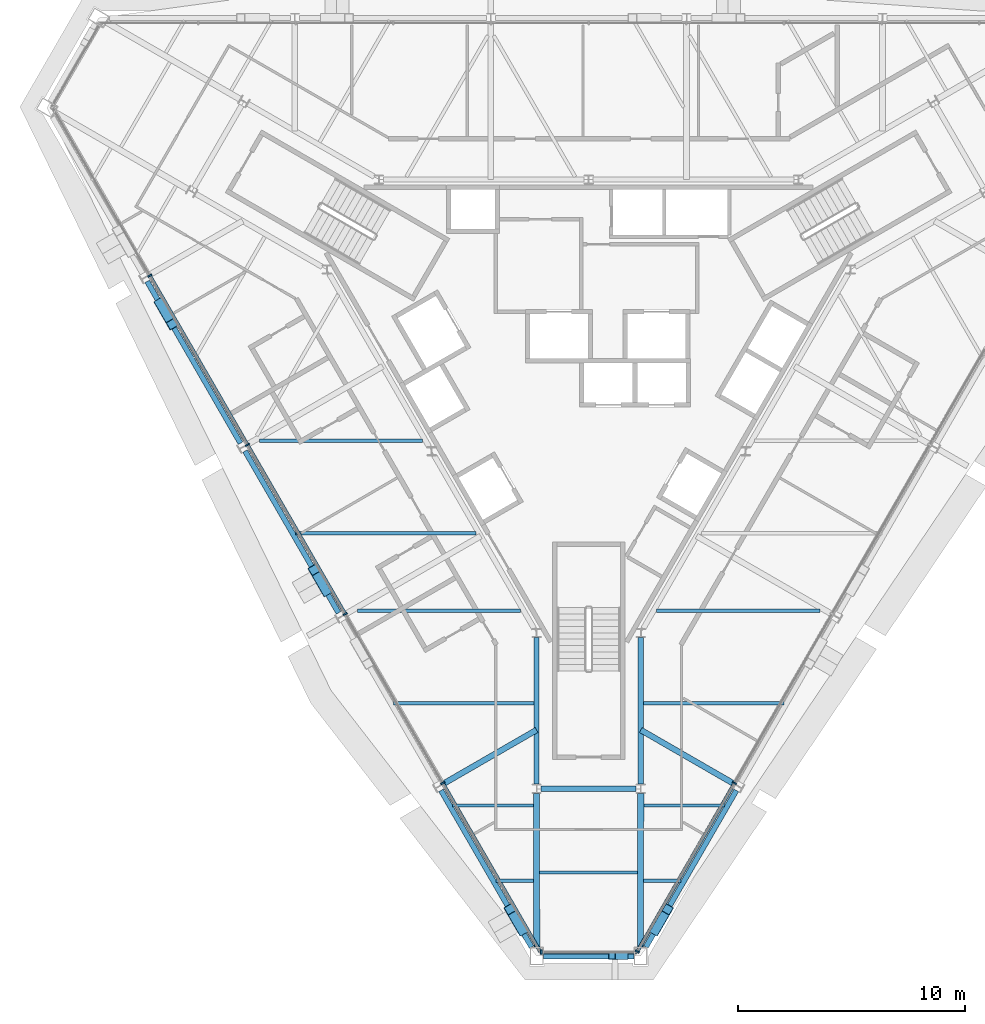
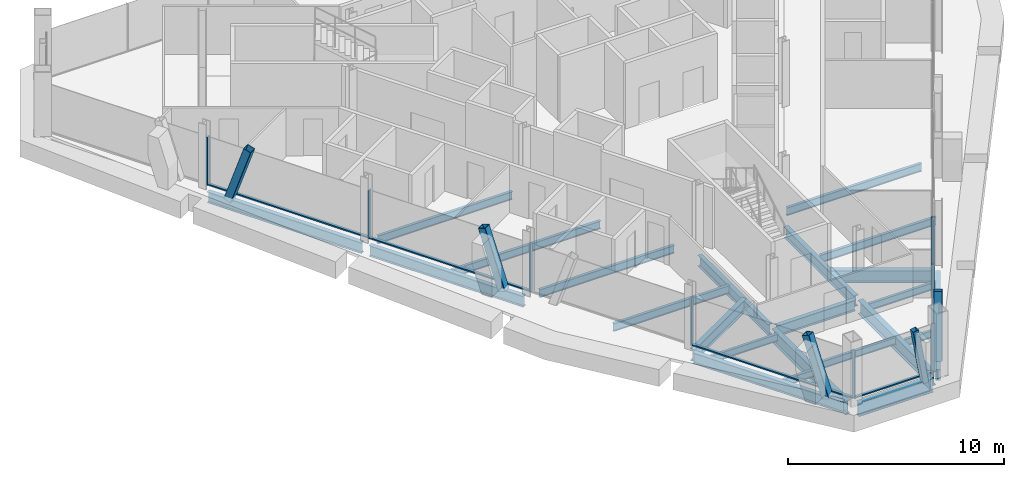
# One storey, part 2 of 13: 23 beams, 17 members, 3 elements without a shape of their own.
"""IFC4 building model written with IfcOpenShell, lengths in metres."""

import ifcopenshell
import ifcopenshell.guid

model = None  # the IFC model being written
_history = None  # IfcOwnerHistory: only IFC2X3 demands one
_inside = {}  # id of a spatial element -> (the spatial element, [elements in it])
_under = {}  # id of a project, library or spatial element -> (it, [spatial elements below it])
_declared = {}  # id of a project -> (the project, [libraries it declares])
_typed = {}  # id of a type object -> (the type object, [elements of that type])
_made_of = {}  # id of a material, layer set ... -> (it, [elements and type objects made of it])


def new_model(schema):
    """Start an empty IFC model of exactly this schema.

    Asked for "IFC4X3", IfcOpenShell would pick the latest addendum, in which some entities
    have other attributes; the version numbers below select the first issue.
    IFC2X3 requires an IfcOwnerHistory on every rooted entity: one is made here for all.
    """
    global model, _history
    if schema == "IFC4X3":
        model = ifcopenshell.file(schema_version=(4, 3, 0, 0))
    else:
        model = ifcopenshell.file(schema=schema)
    _inside.clear()
    _under.clear()
    _declared.clear()
    _typed.clear()
    _made_of.clear()
    _history = None
    if model.schema == "IFC2X3":
        org = make("IfcOrganization", Name="unknown")
        user = make(
            "IfcPersonAndOrganization",
            ThePerson=make("IfcPerson", FamilyName="unknown"),
            TheOrganization=org,
        )
        app = make(
            "IfcApplication",
            ApplicationDeveloper=org,
            Version="unknown",
            ApplicationFullName="unknown",
            ApplicationIdentifier="unknown",
        )
        _history = make(
            "IfcOwnerHistory",
            OwningUser=user,
            OwningApplication=app,
            ChangeAction="ADDED",
            CreationDate=0,
        )
    return model


def make(cls, **values):
    """One entity of the class cls with the attributes given. An attribute that is None is left unset."""
    return model.create_entity(
        cls, **{name: value for name, value in values.items() if value is not None}
    )


def rooted(cls, **values):
    """An entity with a GlobalId (a new one), such as an element, a storey or a relation."""
    return make(cls, GlobalId=ifcopenshell.guid.new(), OwnerHistory=_history, **values)


def si_unit(unit_type, name, prefix=None):
    """IfcSIUnit, for example si_unit("LENGTHUNIT", "METRE", prefix="MILLI")."""
    return make("IfcSIUnit", UnitType=unit_type, Prefix=prefix, Name=name)


def assignment(units):
    """IfcUnitAssignment: the units of a project."""
    return None if units is None else make("IfcUnitAssignment", Units=units)


def point(xyz):
    """IfcCartesianPoint."""
    return None if xyz is None else make("IfcCartesianPoint", Coordinates=xyz)


def direction(xyz):
    """IfcDirection."""
    return None if xyz is None else make("IfcDirection", DirectionRatios=xyz)


def frame(location, z_axis=None, x_axis=None):
    """IfcAxis2Placement3D, a coordinate frame: its origin and axes. An axis left out is left unset."""
    return make(
        "IfcAxis2Placement3D",
        Location=point(location),
        Axis=direction(z_axis),
        RefDirection=direction(x_axis),
    )


def frame_2d(location, x_axis=None):
    """IfcAxis2Placement2D, a coordinate frame in the plane: its origin and x axis."""
    return make(
        "IfcAxis2Placement2D", Location=point(location), RefDirection=direction(x_axis)
    )


def origin():
    """The frame at (0, 0, 0) with its axes left unset."""
    return frame((0.0, 0.0, 0.0))


def origin_2d():
    """The frame at (0, 0) in the plane with its x axis left unset."""
    return frame_2d((0.0, 0.0))


def place(relative_to, where):
    """IfcLocalPlacement: puts the frame where relative to a parent placement (None: the world)."""
    return make(
        "IfcLocalPlacement", PlacementRelTo=relative_to, RelativePlacement=where
    )


def context(
    kind, dimensions, precision=None, world=None, true_north=None, identifier=None
):
    """IfcGeometricRepresentationContext, for example the 3D "Model" context."""
    return make(
        "IfcGeometricRepresentationContext",
        ContextIdentifier=identifier,
        ContextType=kind,
        CoordinateSpaceDimension=dimensions,
        Precision=precision,
        WorldCoordinateSystem=world,
        TrueNorth=true_north,
    )


def subcontext(parent, identifier, kind, view, scale=None):
    """IfcGeometricRepresentationSubContext, for example "Body" below "Model"."""
    return make(
        "IfcGeometricRepresentationSubContext",
        ContextIdentifier=identifier,
        ContextType=kind,
        ParentContext=parent,
        TargetScale=scale,
        TargetView=view,
    )


def project(units=None, contexts=None):
    """IfcProject with its units and contexts."""
    return rooted(
        "IfcProject",
        Name="project",
        RepresentationContexts=contexts,
        UnitsInContext=assignment(units),
    )


def spatial(cls, under=None, at=None, **own):
    """A site, building, storey or space (cls), placed at a placement, below another one or the project."""
    s = rooted(cls, ObjectPlacement=at, **own)
    if under is not None:
        _under.setdefault(under.id(), (under, []))[1].append(s)
    return s


def profile(cls, at=None, kind="AREA", **sizes):
    """A parametric profile (cls). Its sizes go by their IFC names, for example OverallWidth=200.0."""
    return make(cls, ProfileType=kind, Position=at, **sizes)


def rectangle(**sizes):
    """IfcRectangleProfileDef."""
    return profile("IfcRectangleProfileDef", **sizes)


def hollow_rectangle(**sizes):
    """IfcRectangleHollowProfileDef."""
    return profile("IfcRectangleHollowProfileDef", **sizes)


def i_section(**sizes):
    """IfcIShapeProfileDef."""
    return profile("IfcIShapeProfileDef", **sizes)


def extrude(swept, where, along, depth):
    """IfcExtrudedAreaSolid: the profile swept, set in the frame where, extruded along a direction by depth."""
    return make(
        "IfcExtrudedAreaSolid",
        SweptArea=swept,
        Position=where,
        ExtrudedDirection=direction(along),
        Depth=depth,
    )


def shape(context_of_items, identifier, shape_type, items):
    """IfcShapeRepresentation: the items that make up one representation, for example the "Body"."""
    return make(
        "IfcShapeRepresentation",
        ContextOfItems=context_of_items,
        RepresentationIdentifier=identifier,
        RepresentationType=shape_type,
        Items=items,
    )


def material(Name=None, Category=None):
    """IfcMaterial."""
    return make("IfcMaterial", Name=Name, Category=Category)


def material_profile(
    of_material, cross_section, Name=None, Category=None, Priority=None
):
    """IfcMaterialProfile: a cross section and its material."""
    return make(
        "IfcMaterialProfile",
        Name=Name,
        Material=of_material,
        Profile=cross_section,
        Priority=Priority,
        Category=Category,
    )


def profile_set(profiles, Name=None, composite=None):
    """IfcMaterialProfileSet."""
    return make(
        "IfcMaterialProfileSet",
        Name=Name,
        MaterialProfiles=profiles,
        CompositeProfile=composite,
    )


def made_of(thing, what):
    """Note that an element or type object is made of a material, layer set ...; save() writes the relation."""
    if what is not None:
        _made_of.setdefault(what.id(), (what, []))[1].append(thing)
    return thing


def type_object(cls, material=None, **own):
    """A type object (cls), such as IfcWallType, which elements share."""
    return made_of(rooted(cls, **own), material)


def element(
    cls,
    number,
    at=None,
    inside=None,
    cuts=None,
    type_object=None,
    material=None,
    context=None,
    identifier="Body",
    shape_type=None,
    held_by="IfcProductDefinitionShape",
    body=None,
    shapes=None,
    **own,
):
    """One element of the class cls, such as IfcWall. Its Tag is "e" and its number.

    at: its placement. inside: the storey or other place that contains it. cuts: it is an
    opening in that element (IfcRelVoidsElement). A single representation is given by context,
    identifier, shape_type and body (its items); several are given by shapes. held_by: the class
    of the entity that holds the representations. save() writes the other relations.
    """
    e = rooted(cls, Tag="e%d" % number, ObjectPlacement=at, **own)
    if body is not None:
        shapes = [shape(context, identifier, shape_type, body)]
    if shapes is not None:
        e.Representation = make(held_by, Representations=shapes)
    if inside is not None:
        _inside.setdefault(inside.id(), (inside, []))[1].append(e)
    if cuts is not None:
        rooted(
            "IfcRelVoidsElement", RelatingBuildingElement=cuts, RelatedOpeningElement=e
        )
    if type_object is not None:
        _typed.setdefault(type_object.id(), (type_object, []))[1].append(e)
    return made_of(e, material)


def aggregate(whole, parts):
    """IfcRelAggregates: a whole, such as a stair, and the parts it consists of."""
    return rooted("IfcRelAggregates", RelatingObject=whole, RelatedObjects=parts)


def save(model, path):
    """Write the relations noted so far, then the file.

    IfcRelAggregates (storeys below a building ...), IfcRelContainedInSpatialStructure (elements
    in a storey), IfcRelDefinesByType, IfcRelAssociatesMaterial and IfcRelDeclares: one each for
    every whole, place, type object, material and project.
    """
    for whole, parts in _under.values():
        aggregate(whole, parts)
    for where, things in _inside.values():
        rooted(
            "IfcRelContainedInSpatialStructure",
            RelatedElements=things,
            RelatingStructure=where,
        )
    for kind, things in _typed.values():
        rooted("IfcRelDefinesByType", RelatedObjects=things, RelatingType=kind)
    for what, things in _made_of.values():
        rooted("IfcRelAssociatesMaterial", RelatedObjects=things, RelatingMaterial=what)
    for by, libraries in _declared.values():
        rooted("IfcRelDeclares", RelatingContext=by, RelatedDefinitions=libraries)
    model.write(path)


model = new_model("IFC4")

# Units and contexts
model_context = context("Model", 3, precision=1e-05, world=origin(), true_north=direction((0.0, 1.0)))
body_context = subcontext(model_context, "Body", "Model", "MODEL_VIEW")
ifc_project = project(units=[si_unit("LENGTHUNIT", "METRE"), si_unit("AREAUNIT", "SQUARE_METRE"), si_unit("VOLUMEUNIT", "CUBIC_METRE"), si_unit("PLANEANGLEUNIT", "RADIAN"), si_unit("MASSUNIT", "GRAM", prefix="KILO")], contexts=[model_context])

# Site, building, storey
site_placement = place(None, origin())
site = spatial("IfcSite", under=ifc_project, at=site_placement, CompositionType="ELEMENT")
building_placement = place(site_placement, origin())
building = spatial("IfcBuilding", under=site, at=building_placement, Name="Verrane Prism Tower", CompositionType="ELEMENT")
storey_placement = place(building_placement, frame((0.0, 0.0, 210.10009765625)))
storey = spatial("IfcBuildingStorey", under=building, at=storey_placement, Name="L52", CompositionType="ELEMENT", Elevation=210.10009765625)

# Member
ifc_material_1 = material(Name="Steel A500 Grade C", Category="steel")
ifc_material_profile_1 = material_profile(ifc_material_1, hollow_rectangle(XDim=0.3046875, YDim=0.3046875, WallThickness=0.0126953125, InnerFilletRadius=0.00634765625, OuterFilletRadius=0.01904296875, at=origin_2d()), Name="HSS12x12x1/2")
ifc_profile_set_1 = profile_set([ifc_material_profile_1], Name="Steel A500 Grade C")
member_type_1 = type_object("IfcMemberType", Name="Chamfer brace HSS12x12x1/2", PredefinedType="BRACE", material=ifc_profile_set_1)
member_1_placement = place(storey_placement, frame((1.58349609375, -26.2900390625, -0.24267578125), z_axis=(-0.17418685227, 0.0, 0.984712618227), x_axis=(0.0, -1.0, 0.0)))
element("IfcMember", 1, at=member_1_placement, inside=storey, type_object=member_type_1, Name="Chamfer brace S0 L52", PredefinedType="BRACE", context=body_context, shape_type="SweptSolid", body=[
    extrude(hollow_rectangle(XDim=0.3046875, YDim=0.3046875, WallThickness=0.0126953125, InnerFilletRadius=0.00634765625, OuterFilletRadius=0.01904296875, at=origin_2d()), origin(), (0.0, 0.0, 1.0), 3.156494140625),
])

# Beams
ifc_material_2 = material(Name="Steel A992", Category="steel")
ifc_material_profile_2 = material_profile(ifc_material_2, i_section(OverallWidth=0.2666015625, OverallDepth=0.7568359375, WebThickness=0.013916015625, FlangeThickness=0.019287109375, FilletRadius=0.0166015625, at=origin_2d()), Name="W30x108")
ifc_profile_set_2 = profile_set([ifc_material_profile_2], Name="Steel A992")
beam_type_1 = type_object("IfcBeamType", Name="Chamfer spandrel beam W30x108", PredefinedType="SPANDREL", material=ifc_profile_set_2)
beam_1_placement = place(storey_placement, frame((-1.989990234375, -26.2900390625, -0.53857421875), z_axis=(1.0, 0.0, 0.0), x_axis=(0.0, 1.0, 0.0)))
element("IfcBeam", 2, at=beam_1_placement, inside=storey, type_object=beam_type_1, Name="Chamfer spandrel beam L52", PredefinedType="SPANDREL", context=body_context, shape_type="SweptSolid", body=[
    extrude(i_section(OverallWidth=0.2666015625, OverallDepth=0.7568359375, WebThickness=0.013916015625, FlangeThickness=0.019287109375, FilletRadius=0.0166015625, at=origin_2d()), origin(), (0.0, 0.0, 1.0), 3.97998046875),
])
ifc_material_3 = material(Name="Steel A992", Category="steel")
ifc_material_profile_3 = material_profile(ifc_material_3, i_section(OverallWidth=0.23046875, OverallDepth=0.6171875, WebThickness=0.01318359375, FlangeThickness=0.022216796875, FilletRadius=0.012939453125, at=origin_2d()), Name="W24x94")
ifc_profile_set_3 = profile_set([ifc_material_profile_3], Name="Steel A992")
beam_type_2 = type_object("IfcBeamType", Name="Core ring girder W24x94", PredefinedType="BEAM", material=ifc_profile_set_3)
beam_2_placement = place(storey_placement, frame((-2.300048828125, -12.212890625, -0.55859375), z_axis=(0.0, -1.0, 0.0), x_axis=(1.0, 0.0, 0.0)))
element("IfcBeam", 3, at=beam_2_placement, inside=storey, type_object=beam_type_2, Name="Core ring girder L52", PredefinedType="BEAM", context=body_context, shape_type="SweptSolid", body=[
    extrude(i_section(OverallWidth=0.23046875, OverallDepth=0.6171875, WebThickness=0.01318359375, FlangeThickness=0.022216796875, FilletRadius=0.012939453125, at=origin_2d()), origin(), (0.0, 0.0, 1.0), 6.48779296875),
])
beam_3_placement = place(storey_placement, frame((-2.099365234375, -18.89990234375, -0.55859375), z_axis=(1.0, 0.0, 0.0), x_axis=(0.0, 1.0, 0.0)))
element("IfcBeam", 4, at=beam_3_placement, inside=storey, type_object=beam_type_2, Name="Core ring girder L52", PredefinedType="BEAM", context=body_context, shape_type="SweptSolid", body=[
    extrude(i_section(OverallWidth=0.23046875, OverallDepth=0.6171875, WebThickness=0.01318359375, FlangeThickness=0.022216796875, FilletRadius=0.012939453125, at=origin_2d()), origin(), (0.0, 0.0, 1.0), 4.19873046875),
])
beam_4_placement = place(storey_placement, frame((2.300048828125, -18.70068359375, -0.55859375), z_axis=(0.0, 1.0, 0.0), x_axis=(-1.0, 0.0, 0.0)))
element("IfcBeam", 5, at=beam_4_placement, inside=storey, type_object=beam_type_2, Name="Core ring girder L52", PredefinedType="BEAM", context=body_context, shape_type="SweptSolid", body=[
    extrude(i_section(OverallWidth=0.23046875, OverallDepth=0.6171875, WebThickness=0.01318359375, FlangeThickness=0.022216796875, FilletRadius=0.012939453125, at=origin_2d()), origin(), (0.0, 0.0, 1.0), 6.48779296875),
])
ifc_material_4 = material(Name="Steel A992", Category="steel")
ifc_material_profile_4 = material_profile(ifc_material_4, i_section(OverallWidth=0.2666015625, OverallDepth=0.76708984375, WebThickness=0.014892578125, FlangeThickness=0.023681640625, FilletRadius=0.0166015625, at=origin_2d()), Name="W30x124")
ifc_profile_set_4 = profile_set([ifc_material_profile_4], Name="Steel A992")
beam_type_3 = type_object("IfcBeamType", Name="Corner girder W30x124", PredefinedType="BEAM", material=ifc_profile_set_4)
for number, where, z_axis, x_axis, name in (
    (6, (-2.29052734375, -25.889892578125, -0.603515625), (-0.001366217176, 0.999999066725, 0.0), (-0.999999066725, -0.001366217176, 0.0), "Corner girder L52"),
    (7, (2.29052734375, -25.889892578125, -0.603515625), (0.001366217176, 0.999999066725, 0.0), (-0.999999066725, 0.001366217176, 0.0), "Corner girder L52"),
):
    element("IfcBeam", number, at=place(storey_placement, frame(where, z_axis=z_axis, x_axis=x_axis)), inside=storey, type_object=beam_type_3, Name=name, PredefinedType="BEAM", context=body_context, shape_type="SweptSolid", body=[
        extrude(i_section(OverallWidth=0.2666015625, OverallDepth=0.76708984375, WebThickness=0.014892578125, FlangeThickness=0.023681640625, FilletRadius=0.0166015625, at=origin_2d()), origin(), (0.0, 0.0, 1.0), 6.79052734375),
    ])

# Members
ifc_material_5 = material(Name="Steel A500 Grade C", Category="steel")
ifc_material_profile_5 = material_profile(ifc_material_5, hollow_rectangle(XDim=0.406494140625, YDim=0.406494140625, WallThickness=0.01904296875, InnerFilletRadius=0.009521484375, OuterFilletRadius=0.028564453125, at=origin_2d()), Name="HSS16x16x3/4")
ifc_profile_set_5 = profile_set([ifc_material_profile_5], Name="Steel A500 Grade C")
member_type_2 = type_object("IfcMemberType", Name="Facade brace HSS16x16x3/4", PredefinedType="BRACE", material=ifc_profile_set_5)
member_2_placement = place(storey_placement, frame((-18.930908203125, 2.527099609375, -0.216796875), z_axis=(0.158234235212, -0.274301654997, 0.948535992397), x_axis=(0.866208439001, 0.499682839614, 0.0)))
element("IfcMember", 8, at=member_2_placement, inside=storey, type_object=member_type_2, Name="Facade brace SW1 L52", PredefinedType="BRACE", context=body_context, shape_type="SweptSolid", body=[
    extrude(hollow_rectangle(XDim=0.406494140625, YDim=0.406494140625, WallThickness=0.01904296875, InnerFilletRadius=0.009521484375, OuterFilletRadius=0.028564453125, at=origin_2d()), origin(), (0.0, 0.0, 1.0), 3.36962890625),
])
for number, where, z_axis, x_axis, name in (
    (9, (-11.6005859375, -10.167236328125, -0.216796875), (-0.158587392449, 0.274285914944, 0.948481563247), (-0.865713156605, -0.500540438407, 0.0), "Facade brace SW2 L52"),
    (10, (-2.95068359375, -25.147216796875, -0.216796875), (-0.158587392449, 0.274285914944, 0.948481563247), (-0.865713156605, -0.500540438407, 0.0), "Facade brace SW4 L52"),
    (11, (2.95068359375, -25.147216796875, -0.216796875), (0.158587392449, 0.274285914944, 0.948481563247), (-0.865713156605, 0.500540438407, 0.0), "Facade brace SE0 L52"),
):
    element("IfcMember", number, at=place(storey_placement, frame(where, z_axis=z_axis, x_axis=x_axis)), inside=storey, type_object=member_type_2, Name=name, PredefinedType="BRACE", context=body_context, shape_type="SweptSolid", body=[
        extrude(hollow_rectangle(XDim=0.406494140625, YDim=0.406494140625, WallThickness=0.01904296875, InnerFilletRadius=0.009521484375, OuterFilletRadius=0.028564453125, at=origin_2d()), origin(), (0.0, 0.0, 1.0), 3.369873046875),
    ])

# Beams
ifc_material_6 = material(Name="Steel A992", Category="steel")
ifc_material_profile_6 = material_profile(ifc_material_6, i_section(OverallWidth=0.140380859375, OverallDepth=0.40380859375, WebThickness=0.007080078125, FlangeThickness=0.01123046875, FilletRadius=0.01025390625, at=origin_2d()), Name="W16x31")
ifc_profile_set_6 = profile_set([ifc_material_profile_6], Name="Steel A992")
beam_type_4 = type_object("IfcBeamType", Name="Floor beam W16x31", PredefinedType="BEAM", material=ifc_profile_set_6)
beam_5_placement = place(storey_placement, frame((-4.080322265625, -22.96337890625, -0.362060546875), z_axis=(1.0, 0.0, 0.0), x_axis=(0.0, 1.0, 0.0)))
element("IfcBeam", 12, at=beam_5_placement, inside=storey, type_object=beam_type_4, Name="Floor beam L52", PredefinedType="BEAM", context=body_context, shape_type="SweptSolid", body=[
    extrude(i_section(OverallWidth=0.140380859375, OverallDepth=0.40380859375, WebThickness=0.007080078125, FlangeThickness=0.01123046875, FilletRadius=0.01025390625, at=origin_2d()), origin(), (0.0, 0.0, 1.0), 1.65234375),
])
beam_6_placement = place(storey_placement, frame((-6.00341796875, -19.63671875, -0.362060546875), z_axis=(1.0, 0.0, 0.0), x_axis=(0.0, 1.0, 0.0)))
element("IfcBeam", 13, at=beam_6_placement, inside=storey, type_object=beam_type_4, Name="Floor beam L52", PredefinedType="BEAM", context=body_context, shape_type="SweptSolid", body=[
    extrude(i_section(OverallWidth=0.140380859375, OverallDepth=0.40380859375, WebThickness=0.007080078125, FlangeThickness=0.01123046875, FilletRadius=0.01025390625, at=origin_2d()), origin(), (0.0, 0.0, 1.0), 3.57080078125),
])
beam_7_placement = place(storey_placement, frame((2.427978515625, -22.96337890625, -0.362060546875), z_axis=(1.0, 0.0, 0.0), x_axis=(0.0, 1.0, 0.0)))
element("IfcBeam", 14, at=beam_7_placement, inside=storey, type_object=beam_type_4, Name="Floor beam L52", PredefinedType="BEAM", context=body_context, shape_type="SweptSolid", body=[
    extrude(i_section(OverallWidth=0.140380859375, OverallDepth=0.40380859375, WebThickness=0.007080078125, FlangeThickness=0.01123046875, FilletRadius=0.01025390625, at=origin_2d()), origin(), (0.0, 0.0, 1.0), 1.65234375),
])
beam_8_placement = place(storey_placement, frame((2.4326171875, -19.63671875, -0.362060546875), z_axis=(1.0, 0.0, 0.0), x_axis=(0.0, 1.0, 0.0)))
element("IfcBeam", 15, at=beam_8_placement, inside=storey, type_object=beam_type_4, Name="Floor beam L52", PredefinedType="BEAM", context=body_context, shape_type="SweptSolid", body=[
    extrude(i_section(OverallWidth=0.140380859375, OverallDepth=0.40380859375, WebThickness=0.007080078125, FlangeThickness=0.01123046875, FilletRadius=0.01025390625, at=origin_2d()), origin(), (0.0, 0.0, 1.0), 3.57080078125),
])
beam_9_placement = place(storey_placement, frame((-2.16162109375, -22.594970703125, -0.362060546875), z_axis=(1.0, 0.0, 0.0), x_axis=(0.0, 1.0, 0.0)))
element("IfcBeam", 16, at=beam_9_placement, inside=storey, type_object=beam_type_4, Name="Floor beam L52", PredefinedType="BEAM", context=body_context, shape_type="SweptSolid", body=[
    extrude(i_section(OverallWidth=0.140380859375, OverallDepth=0.40380859375, WebThickness=0.007080078125, FlangeThickness=0.01123046875, FilletRadius=0.01025390625, at=origin_2d()), origin(), (0.0, 0.0, 1.0), 4.3232421875),
])
ifc_material_7 = material(Name="Steel A992", Category="steel")
ifc_material_profile_7 = material_profile(ifc_material_7, i_section(OverallWidth=0.15234375, OverallDepth=0.449462890625, WebThickness=0.007568359375, FlangeThickness=0.0107421875, FilletRadius=0.01025390625, at=origin_2d()), Name="W18x35")
ifc_profile_set_7 = profile_set([ifc_material_profile_7], Name="Steel A992")
beam_type_5 = type_object("IfcBeamType", Name="Floor beam W18x35", PredefinedType="BEAM", material=ifc_profile_set_7)
beam_10_placement = place(storey_placement, frame((-12.9384765625, -7.623291015625, -0.385009765625), z_axis=(1.0, 0.0, 0.0), x_axis=(0.0, 1.0, 0.0)))
element("IfcBeam", 17, at=beam_10_placement, inside=storey, type_object=beam_type_5, Name="Floor beam L52", PredefinedType="BEAM", context=body_context, shape_type="SweptSolid", body=[
    extrude(i_section(OverallWidth=0.15234375, OverallDepth=0.449462890625, WebThickness=0.007568359375, FlangeThickness=0.0107421875, FilletRadius=0.01025390625, at=origin_2d()), origin(), (0.0, 0.0, 1.0), 7.962890625),
])
beam_11_placement = place(storey_placement, frame((-14.525390625, -3.53662109375, -0.385009765625), z_axis=(1.0, 0.0, 0.0), x_axis=(0.0, 1.0, 0.0)))
element("IfcBeam", 18, at=beam_11_placement, inside=storey, type_object=beam_type_5, Name="Floor beam L52", PredefinedType="BEAM", context=body_context, shape_type="SweptSolid", body=[
    extrude(i_section(OverallWidth=0.15234375, OverallDepth=0.449462890625, WebThickness=0.007568359375, FlangeThickness=0.0107421875, FilletRadius=0.01025390625, at=origin_2d()), origin(), (0.0, 0.0, 1.0), 7.19580078125),
])
beam_12_placement = place(storey_placement, frame((-8.61181640625, -15.11669921875, -0.385009765625), z_axis=(1.0, 0.0, 0.0), x_axis=(0.0, 1.0, 0.0)))
element("IfcBeam", 19, at=beam_12_placement, inside=storey, type_object=beam_type_5, Name="Floor beam L52", PredefinedType="BEAM", context=body_context, shape_type="SweptSolid", body=[
    extrude(i_section(OverallWidth=0.15234375, OverallDepth=0.449462890625, WebThickness=0.007568359375, FlangeThickness=0.0107421875, FilletRadius=0.01025390625, at=origin_2d()), origin(), (0.0, 0.0, 1.0), 6.19677734375),
])
beam_13_placement = place(storey_placement, frame((-10.20654296875, -11.033203125, -0.385009765625), z_axis=(1.0, 0.0, 0.0), x_axis=(0.0, 1.0, 0.0)))
element("IfcBeam", 20, at=beam_13_placement, inside=storey, type_object=beam_type_5, Name="Floor beam L52", PredefinedType="BEAM", context=body_context, shape_type="SweptSolid", body=[
    extrude(i_section(OverallWidth=0.15234375, OverallDepth=0.449462890625, WebThickness=0.007568359375, FlangeThickness=0.0107421875, FilletRadius=0.01025390625, at=origin_2d()), origin(), (0.0, 0.0, 1.0), 7.203125),
])
beam_14_placement = place(storey_placement, frame((2.4150390625, -15.11669921875, -0.385009765625), z_axis=(1.0, 0.0, 0.0), x_axis=(0.0, 1.0, 0.0)))
element("IfcBeam", 21, at=beam_14_placement, inside=storey, type_object=beam_type_5, Name="Floor beam L52", PredefinedType="BEAM", context=body_context, shape_type="SweptSolid", body=[
    extrude(i_section(OverallWidth=0.15234375, OverallDepth=0.449462890625, WebThickness=0.007568359375, FlangeThickness=0.0107421875, FilletRadius=0.01025390625, at=origin_2d()), origin(), (0.0, 0.0, 1.0), 6.19677734375),
])
beam_15_placement = place(storey_placement, frame((3.00341796875, -11.033203125, -0.385009765625), z_axis=(1.0, 0.0, 0.0), x_axis=(0.0, 1.0, 0.0)))
element("IfcBeam", 22, at=beam_15_placement, inside=storey, type_object=beam_type_5, Name="Floor beam L52", PredefinedType="BEAM", context=body_context, shape_type="SweptSolid", body=[
    extrude(i_section(OverallWidth=0.15234375, OverallDepth=0.449462890625, WebThickness=0.007568359375, FlangeThickness=0.0107421875, FilletRadius=0.01025390625, at=origin_2d()), origin(), (0.0, 0.0, 1.0), 7.203125),
])

# Curtain wall, members
ifc_material_8 = material(Name="Aluminium framed insulated glazing", Category="aluminium")
curtain_wall_type = type_object("IfcCurtainWallType", Name="Curtain wall CW-A 8400 module", PredefinedType="NOTDEFINED", material=ifc_material_8)
curtain_wall_1_placement = place(storey_placement, origin())
curtain_wall_1 = element("IfcCurtainWall", 23, at=curtain_wall_1_placement, inside=storey, type_object=curtain_wall_type, Name="Glazed curtain wall south-west face L52", PredefinedType="NOTDEFINED")
ifc_material_9 = material(Name="Aluminium alloy 6063-T6", Category="aluminium")
ifc_material_profile_8 = material_profile(ifc_material_9, rectangle(XDim=0.199951171875, YDim=0.070068359375, at=origin_2d()), Name="Mullion 70x200 aluminium")
ifc_profile_set_8 = profile_set([ifc_material_profile_8], Name="Aluminium alloy 6063-T6")
member_type_3 = type_object("IfcMemberType", Name="Mullion 70x200 aluminium", PredefinedType="MULLION", material=ifc_profile_set_8)
member_3_placement = place(storey_placement, frame((-19.37060546875, 3.747314453125, 0.0), z_axis=(0.0, 0.0, 1.0), x_axis=(0.866026096662, 0.499998799899, 0.0)))
member_3 = element("IfcMember", 24, at=member_3_placement, type_object=member_type_3, Name="CW51.4 mullion 2", PredefinedType="MULLION", context=body_context, shape_type="SweptSolid", body=[
    extrude(rectangle(XDim=0.199951171875, YDim=0.070068359375, at=origin_2d()), origin(), (0.0, 0.0, 1.0), 2.712890625),
])
member_4_placement = place(storey_placement, frame((-15.060302734375, -3.71826171875, 0.0), z_axis=(0.0, 0.0, 1.0), x_axis=(0.866026096662, 0.499998799899, 0.0)))
member_4 = element("IfcMember", 25, at=member_4_placement, type_object=member_type_3, Name="CW51.4 mullion 3", PredefinedType="MULLION", context=body_context, shape_type="SweptSolid", body=[
    extrude(rectangle(XDim=0.199951171875, YDim=0.070068359375, at=origin_2d()), origin(), (0.0, 0.0, 1.0), 2.712890625),
])
member_5_placement = place(storey_placement, frame((-10.750244140625, -11.18359375, 0.0), z_axis=(0.0, 0.0, 1.0), x_axis=(0.866026096662, 0.499998799899, 0.0)))
member_5 = element("IfcMember", 26, at=member_5_placement, type_object=member_type_3, Name="CW51.4 mullion 4", PredefinedType="MULLION", context=body_context, shape_type="SweptSolid", body=[
    extrude(rectangle(XDim=0.199951171875, YDim=0.070068359375, at=origin_2d()), origin(), (0.0, 0.0, 1.0), 2.712890625),
])
member_6_placement = place(storey_placement, frame((-6.43994140625, -18.649169921875, 0.0), z_axis=(0.0, 0.0, 1.0), x_axis=(0.866026096662, 0.499998799899, 0.0)))
member_6 = element("IfcMember", 27, at=member_6_placement, type_object=member_type_3, Name="CW51.4 mullion 5", PredefinedType="MULLION", context=body_context, shape_type="SweptSolid", body=[
    extrude(rectangle(XDim=0.199951171875, YDim=0.070068359375, at=origin_2d()), origin(), (0.0, 0.0, 1.0), 2.712890625),
])

# Curtain wall, member
curtain_wall_2_placement = place(storey_placement, origin())
curtain_wall_2 = element("IfcCurtainWall", 28, at=curtain_wall_2_placement, inside=storey, type_object=curtain_wall_type, Name="Glazed curtain wall south corner L52", PredefinedType="NOTDEFINED")
member_7_placement = place(storey_placement, frame((-2.094970703125, -26.114501953125, 0.0), z_axis=(0.0, 0.0, 1.0), x_axis=(0.0, 1.0, 0.0)))
member_7 = element("IfcMember", 29, at=member_7_placement, type_object=member_type_3, Name="CW51.5 mullion 1", PredefinedType="MULLION", context=body_context, shape_type="SweptSolid", body=[
    extrude(rectangle(XDim=0.199951171875, YDim=0.070068359375, at=origin_2d()), origin(), (0.0, 0.0, 1.0), 2.712890625),
])

# Curtain wall, members
curtain_wall_3_placement = place(storey_placement, origin())
curtain_wall_3 = element("IfcCurtainWall", 30, at=curtain_wall_3_placement, inside=storey, type_object=curtain_wall_type, Name="Glazed curtain wall south-east face L52", PredefinedType="NOTDEFINED")
member_8_placement = place(storey_placement, frame((2.1474609375, -26.084228515625, 0.0), z_axis=(0.0, 0.0, 1.0), x_axis=(-0.866026096662, 0.499998799899, 0.0)))
member_8 = element("IfcMember", 31, at=member_8_placement, type_object=member_type_3, Name="CW51.6 mullion 1", PredefinedType="MULLION", context=body_context, shape_type="SweptSolid", body=[
    extrude(rectangle(XDim=0.199951171875, YDim=0.070068359375, at=origin_2d()), origin(), (0.0, 0.0, 1.0), 2.712890625),
])
member_9_placement = place(storey_placement, frame((6.43994140625, -18.649169921875, 0.0), z_axis=(0.0, 0.0, 1.0), x_axis=(-0.866026096662, 0.499998799899, 0.0)))
member_9 = element("IfcMember", 32, at=member_9_placement, type_object=member_type_3, Name="CW51.6 mullion 2", PredefinedType="MULLION", context=body_context, shape_type="SweptSolid", body=[
    extrude(rectangle(XDim=0.199951171875, YDim=0.070068359375, at=origin_2d()), origin(), (0.0, 0.0, 1.0), 2.712890625),
])

# Beams
ifc_material_10 = material(Name="Steel A992", Category="steel")
ifc_material_profile_9 = material_profile(ifc_material_10, i_section(OverallWidth=0.25390625, OverallDepth=0.683349609375, WebThickness=0.012451171875, FlangeThickness=0.01904296875, FilletRadius=0.01513671875, at=origin_2d()), Name="W27x94")
ifc_profile_set_9 = profile_set([ifc_material_profile_9], Name="Steel A992")
beam_type_6 = type_object("IfcBeamType", Name="Radial girder W27x94", PredefinedType="BEAM", material=ifc_profile_set_9)
for number, where, z_axis, x_axis, name in (
    (33, (-6.447265625, -18.7001953125, -0.561767578125), (0.866035316221, 0.499982830763, 0.0), (-0.499982830763, 0.866035316221, 0.0), "Radial girder L52"),
    (34, (6.447265625, -18.7001953125, -0.561767578125), (-0.866035316221, 0.499982830763, 0.0), (-0.499982830763, -0.866035316221, 0.0), "Radial girder L52"),
):
    element("IfcBeam", number, at=place(storey_placement, frame(where, z_axis=z_axis, x_axis=x_axis)), inside=storey, type_object=beam_type_6, Name=name, PredefinedType="BEAM", context=body_context, shape_type="SweptSolid", body=[
        extrude(i_section(OverallWidth=0.25390625, OverallDepth=0.683349609375, WebThickness=0.012451171875, FlangeThickness=0.01904296875, FilletRadius=0.01513671875, at=origin_2d()), origin(), (0.0, 0.0, 1.0), 4.788818359375),
    ])
ifc_material_11 = material(Name="Steel A992", Category="steel")
ifc_material_profile_10 = material_profile(ifc_material_11, i_section(OverallWidth=0.23046875, OverallDepth=0.6171875, WebThickness=0.01318359375, FlangeThickness=0.022216796875, FilletRadius=0.012939453125, at=origin_2d()), Name="W24x94")
ifc_profile_set_10 = profile_set([ifc_material_profile_10], Name="Steel A992")
beam_type_7 = type_object("IfcBeamType", Name="Spandrel beam W24x94", PredefinedType="SPANDREL", material=ifc_profile_set_10)
beam_16_placement = place(storey_placement, frame((-19.48974609375, 3.49609375, -0.46875), z_axis=(0.499613933384, -0.866248184742, 0.0), x_axis=(0.866248184742, 0.499613933384, 0.0)))
element("IfcBeam", 35, at=beam_16_placement, inside=storey, type_object=beam_type_7, Name="Spandrel beam L52", PredefinedType="SPANDREL", context=body_context, shape_type="SweptSolid", body=[
    extrude(i_section(OverallWidth=0.23046875, OverallDepth=0.6171875, WebThickness=0.01318359375, FlangeThickness=0.022216796875, FilletRadius=0.012939453125, at=origin_2d()), origin(), (0.0, 0.0, 1.0), 8.2451171875),
])
beam_17_placement = place(storey_placement, frame((-15.169677734375, -3.99365234375, -0.46875), z_axis=(0.500511266251, -0.865730022788, 0.0), x_axis=(0.865730022788, 0.500511266251, 0.0)))
element("IfcBeam", 36, at=beam_17_placement, inside=storey, type_object=beam_type_7, Name="Spandrel beam L52", PredefinedType="SPANDREL", context=body_context, shape_type="SweptSolid", body=[
    extrude(i_section(OverallWidth=0.23046875, OverallDepth=0.6171875, WebThickness=0.01318359375, FlangeThickness=0.022216796875, FilletRadius=0.012939453125, at=origin_2d()), origin(), (0.0, 0.0, 1.0), 8.250244140625),
])
for number, where, z_axis, x_axis, name in (
    (37, (-6.51953125, -18.9736328125, -0.46875), (0.500486844155, -0.865744141666, 0.0), (0.865744141666, 0.500486844155, 0.0), "Spandrel beam L52"),
    (38, (2.521240234375, -25.889892578125, -0.46875), (0.500486844155, 0.865744141666, 0.0), (-0.865744141666, 0.500486844155, 0.0), "Spandrel beam L52"),
):
    element("IfcBeam", number, at=place(storey_placement, frame(where, z_axis=z_axis, x_axis=x_axis)), inside=storey, type_object=beam_type_7, Name=name, PredefinedType="SPANDREL", context=body_context, shape_type="SweptSolid", body=[
        extrude(i_section(OverallWidth=0.23046875, OverallDepth=0.6171875, WebThickness=0.01318359375, FlangeThickness=0.022216796875, FilletRadius=0.012939453125, at=origin_2d()), origin(), (0.0, 0.0, 1.0), 7.98876953125),
    ])

# Member
ifc_material_12 = material(Name="Aluminium alloy 6063-T6", Category="aluminium")
ifc_material_profile_11 = material_profile(ifc_material_12, rectangle(XDim=0.14990234375, YDim=0.070068359375, at=origin_2d()), Name="Transom 70x150 aluminium")
ifc_profile_set_11 = profile_set([ifc_material_profile_11], Name="Aluminium alloy 6063-T6")
member_type_4 = type_object("IfcMemberType", Name="Transom 70x150 aluminium", PredefinedType="USERDEFINED", material=ifc_profile_set_11)
member_10_placement = place(storey_placement, frame((-19.35302734375, 3.717041015625, 0.034912109375), z_axis=(0.499986915336, -0.866032958087, 0.0), x_axis=(0.866032958087, 0.499986915336, 0.0)))
member_10 = element("IfcMember", 39, at=member_10_placement, type_object=member_type_4, Name="CW51.4 transom 2", ObjectType="TRANSOM", PredefinedType="USERDEFINED", context=body_context, shape_type="SweptSolid", body=[
    extrude(rectangle(XDim=0.14990234375, YDim=0.070068359375, at=origin_2d()), origin(), (0.0, 0.0, 1.0), 8.550537109375),
])

member_11_placement = place(storey_placement, frame((-15.04296875, -3.74853515625, 0.034912109375), z_axis=(0.499999279071, -0.866025820012, 0.0), x_axis=(0.866025820012, 0.499999279071, 0.0)))
member_11 = element("IfcMember", 40, at=member_11_placement, type_object=member_type_4, Name="CW51.4 transom 3", ObjectType="TRANSOM", PredefinedType="USERDEFINED", context=body_context, shape_type="SweptSolid", body=[
    extrude(rectangle(XDim=0.14990234375, YDim=0.070068359375, at=origin_2d()), origin(), (0.0, 0.0, 1.0), 8.55029296875),
])

member_12_placement = place(storey_placement, frame((-6.422607421875, -18.679443359375, 0.034912109375), z_axis=(0.500007995801, -0.866020787358, 0.0), x_axis=(0.866020787358, 0.500007995801, 0.0)))
member_12 = element("IfcMember", 41, at=member_12_placement, type_object=member_type_4, Name="CW51.4 transom 5", ObjectType="TRANSOM", PredefinedType="USERDEFINED", context=body_context, shape_type="SweptSolid", body=[
    extrude(rectangle(XDim=0.14990234375, YDim=0.070068359375, at=origin_2d()), origin(), (0.0, 0.0, 1.0), 8.585205078125),
])

aggregate(curtain_wall_1, [member_3, member_4, member_5, member_6, member_10, member_11, member_12])

member_13_placement = place(storey_placement, frame((-2.059814453125, -26.114501953125, 0.034912109375), z_axis=(1.0, 0.0, 0.0), x_axis=(0.0, 1.0, 0.0)))
member_13 = element("IfcMember", 42, at=member_13_placement, type_object=member_type_4, Name="CW51.5 transom 1", ObjectType="TRANSOM", PredefinedType="USERDEFINED", context=body_context, shape_type="SweptSolid", body=[
    extrude(rectangle(XDim=0.14990234375, YDim=0.070068359375, at=origin_2d()), origin(), (0.0, 0.0, 1.0), 4.189697265625),
])

aggregate(curtain_wall_2, [member_7, member_13])

member_14_placement = place(storey_placement, frame((2.164794921875, -26.053955078125, 0.034912109375), z_axis=(0.500011993549, 0.866018479195, 0.0), x_axis=(-0.866018479195, 0.500011993549, 0.0)))
member_14 = element("IfcMember", 43, at=member_14_placement, type_object=member_type_4, Name="CW51.6 transom 1", ObjectType="TRANSOM", PredefinedType="USERDEFINED", context=body_context, shape_type="SweptSolid", body=[
    extrude(rectangle(XDim=0.14990234375, YDim=0.070068359375, at=origin_2d()), origin(), (0.0, 0.0, 1.0), 8.515380859375),
])

aggregate(curtain_wall_3, [member_8, member_9, member_14])

save(model, "model.ifc")
